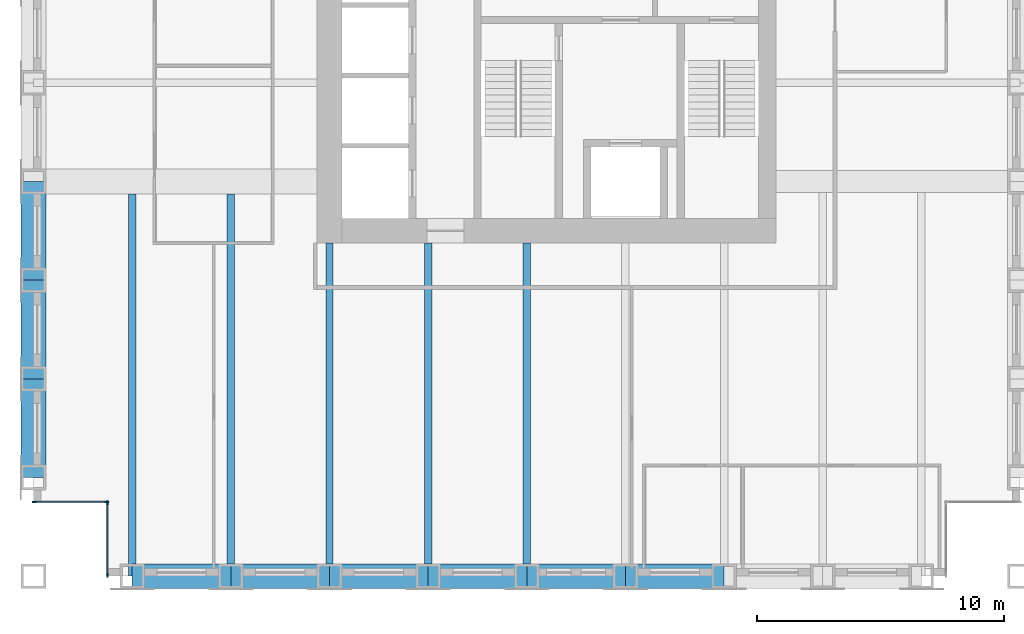
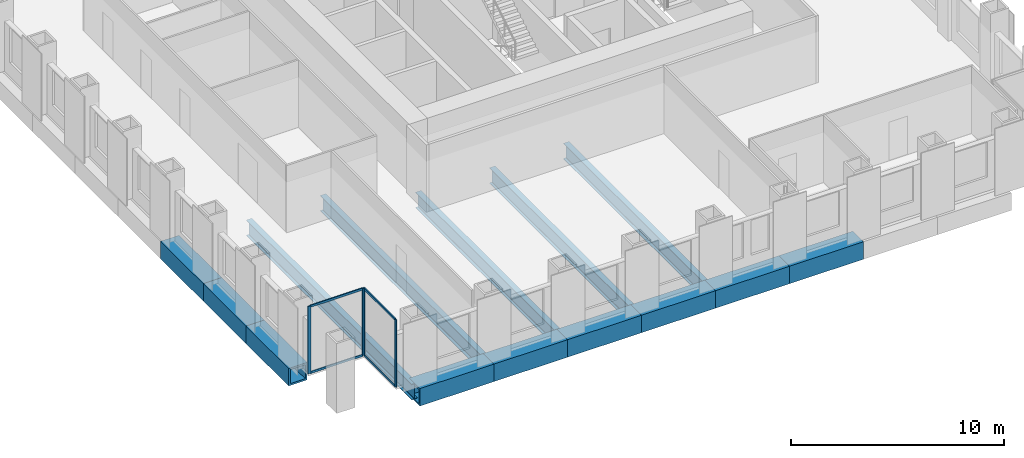
# One storey, part 2 of 11: 14 beams, 8 members, 2 elements without a shape of their own.
"""IFC4 building model written with IfcOpenShell, lengths in metres."""

from ifc_helpers import new_model, si_unit, direction, frame, origin, origin_2d, place, context, subcontext, project, spatial, rectangle, hollow_rectangle, i_section, extrude, material, material_profile, profile_set, type_object, element, aggregate, save


model = new_model("IFC4")

# Units and contexts
model_context = context("Model", 3, precision=1e-05, world=origin(), true_north=direction((0.0, 1.0)))
body_context = subcontext(model_context, "Body", "Model", "MODEL_VIEW")
ifc_project = project(units=[si_unit("LENGTHUNIT", "METRE"), si_unit("AREAUNIT", "SQUARE_METRE"), si_unit("VOLUMEUNIT", "CUBIC_METRE"), si_unit("PLANEANGLEUNIT", "RADIAN"), si_unit("MASSUNIT", "GRAM", prefix="KILO")], contexts=[model_context])

# Site, building, storey
site_placement = place(None, origin())
site = spatial("IfcSite", under=ifc_project, at=site_placement, CompositionType="ELEMENT")
building_placement = place(site_placement, origin())
building = spatial("IfcBuilding", under=site, at=building_placement, Name="Rimbunsela Tower", CompositionType="ELEMENT")
storey_placement = place(building_placement, frame((0.0, 0.0, 278.199951171875)))
storey = spatial("IfcBuildingStorey", under=building, at=storey_placement, Name="L67", CompositionType="ELEMENT", Elevation=278.199951171875)

# Beams
ifc_material_1 = material(Name="Steel BJ 55 (fy 410 MPa)", Category="steel")
ifc_material_profile_1 = material_profile(ifc_material_1, hollow_rectangle(XDim=1.0, YDim=1.0, WallThickness=0.10009765625, at=origin_2d()), Name="BOX 1000x1000x100")
ifc_profile_set_1 = profile_set([ifc_material_profile_1], Name="Steel BJ 55 (fy 410 MPa)")
beam_type_1 = type_object("IfcBeamType", Name="Beam BOX 1000x1000x100", PredefinedType="BEAM", material=ifc_profile_set_1)
for number, where, z_axis, x_axis, name in (
    (1, (6.0, 8.0, -0.64990234375), (0.0, 1.0, 0.0), (-1.0, 0.0, 0.0), "Beam B3 L67"),
    (2, (6.0, 12.0, -0.64990234375), (0.0, 1.0, 0.0), (-1.0, 0.0, 0.0), "Beam B3 L67"),
    (3, (6.0, 16.0, -0.64990234375), (0.0, 1.0, 0.0), (-1.0, 0.0, 0.0), "Beam B3 L67"),
    (4, (10.0, 4.0, -0.64990234375), (1.0, 0.0, 0.0), (0.0, 1.0, 0.0), "Beam B3 L67"),
    (5, (14.0, 4.0, -0.64990234375), (1.0, 0.0, 0.0), (0.0, 1.0, 0.0), "Beam B3 L67"),
    (6, (18.0, 4.0, -0.64990234375), (1.0, 0.0, 0.0), (0.0, 1.0, 0.0), "Beam B3 L67"),
    (7, (22.0, 4.0, -0.64990234375), (1.0, 0.0, 0.0), (0.0, 1.0, 0.0), "Beam B3 L67"),
    (8, (26.0, 4.0, -0.64990234375), (1.0, 0.0, 0.0), (0.0, 1.0, 0.0), "Beam B3 L67"),
    (9, (30.0, 4.0, -0.64990234375), (1.0, 0.0, 0.0), (0.0, 1.0, 0.0), "Beam B3 L67"),
):
    element("IfcBeam", number, at=place(storey_placement, frame(where, z_axis=z_axis, x_axis=x_axis)), inside=storey, type_object=beam_type_1, Name=name, PredefinedType="BEAM", context=body_context, shape_type="SweptSolid", body=[
        extrude(hollow_rectangle(XDim=1.0, YDim=1.0, WallThickness=0.10009765625, at=origin_2d()), origin(), (0.0, 0.0, 1.0), 4.0),
    ])
ifc_material_2 = material(Name="Steel BJ 55 (fy 410 MPa)", Category="steel")
ifc_material_profile_2 = material_profile(ifc_material_2, i_section(OverallWidth=0.300048828125, OverallDepth=0.89990234375, WebThickness=0.01611328125, FlangeThickness=0.028076171875, FilletRadius=0.028076171875, at=origin_2d()), Name="H 900x300x16x28")
ifc_profile_set_2 = profile_set([ifc_material_profile_2], Name="Steel BJ 55 (fy 410 MPa)")
beam_type_2 = type_object("IfcBeamType", Name="Beam H 900x300x16x28", PredefinedType="BEAM", material=ifc_profile_set_2)
for number, where, z_axis, x_axis, name in (
    (10, (10.0, 4.0, -0.599853515625), (0.0, 1.0, 0.0), (-1.0, 0.0, 0.0), "Beam B2 L67"),
    (11, (14.0, 4.0, -0.599853515625), (0.0, 1.0, 0.0), (-1.0, 0.0, 0.0), "Beam B2 L67"),
):
    element("IfcBeam", number, at=place(storey_placement, frame(where, z_axis=z_axis, x_axis=x_axis)), inside=storey, type_object=beam_type_2, Name=name, PredefinedType="BEAM", context=body_context, shape_type="SweptSolid", body=[
        extrude(i_section(OverallWidth=0.300048828125, OverallDepth=0.89990234375, WebThickness=0.01611328125, FlangeThickness=0.028076171875, FilletRadius=0.028076171875, at=origin_2d()), origin(), (0.0, 0.0, 1.0), 15.5),
    ])
for number, where, z_axis, x_axis, name in (
    (12, (18.0, 4.0, -0.599853515625), (0.0, 1.0, 0.0), (-1.0, 0.0, 0.0), "Beam B2 L67"),
    (13, (22.0, 4.0, -0.599853515625), (0.0, 1.0, 0.0), (-1.0, 0.0, 0.0), "Beam B2 L67"),
    (14, (26.0, 4.0, -0.599853515625), (0.0, 1.0, 0.0), (-1.0, 0.0, 0.0), "Beam B2 L67"),
):
    element("IfcBeam", number, at=place(storey_placement, frame(where, z_axis=z_axis, x_axis=x_axis)), inside=storey, type_object=beam_type_2, Name=name, PredefinedType="BEAM", context=body_context, shape_type="SweptSolid", body=[
        extrude(i_section(OverallWidth=0.300048828125, OverallDepth=0.89990234375, WebThickness=0.01611328125, FlangeThickness=0.028076171875, FilletRadius=0.028076171875, at=origin_2d()), origin(), (0.0, 0.0, 1.0), 13.5),
    ])

# Curtain wall, members
ifc_material_3 = material(Name="Aluminium curtain wall", Category="aluminium")
curtain_wall_type = type_object("IfcCurtainWallType", Name="Corner glazing", PredefinedType="USERDEFINED", material=ifc_material_3)
curtain_wall_1_placement = place(storey_placement, origin())
curtain_wall_1 = element("IfcCurtainWall", 15, at=curtain_wall_1_placement, inside=storey, type_object=curtain_wall_type, Name="Corner glazing L67", ObjectType="CORNER GLAZING", PredefinedType="USERDEFINED")
ifc_material_4 = material(Name="Aluminium mullion", Category="aluminium")
ifc_material_profile_3 = material_profile(ifc_material_4, rectangle(XDim=0.06005859375, YDim=0.159912109375, at=origin_2d()), Name="Mullion 60x160")
ifc_profile_set_3 = profile_set([ifc_material_profile_3], Name="Aluminium mullion")
member_type_1 = type_object("IfcMemberType", Name="Curtain wall mullion 60x160", PredefinedType="MULLION", material=ifc_profile_set_3)
member_1_placement = place(storey_placement, frame((6.030029296875, 7.0, 0.0), z_axis=(0.0, 0.0, 1.0), x_axis=(0.0, 1.0, 0.0)))
member_1 = element("IfcMember", 16, at=member_1_placement, type_object=member_type_1, Name="CW5 mullion 1", PredefinedType="MULLION", context=body_context, shape_type="SweptSolid", body=[
    extrude(rectangle(XDim=0.06005859375, YDim=0.159912109375, at=origin_2d()), origin(), (0.0, 0.0, 1.0), 3.85009765625),
])
member_2_placement = place(storey_placement, frame((8.969970703125, 7.0, 0.0), z_axis=(0.0, 0.0, 1.0), x_axis=(0.0, 1.0, 0.0)))
member_2 = element("IfcMember", 17, at=member_2_placement, type_object=member_type_1, Name="CW5 mullion 2", PredefinedType="MULLION", context=body_context, shape_type="SweptSolid", body=[
    extrude(rectangle(XDim=0.06005859375, YDim=0.159912109375, at=origin_2d()), origin(), (0.0, 0.0, 1.0), 3.85009765625),
])

curtain_wall_2_placement = place(storey_placement, origin())
curtain_wall_2 = element("IfcCurtainWall", 18, at=curtain_wall_2_placement, inside=storey, type_object=curtain_wall_type, Name="Corner glazing L67", ObjectType="CORNER GLAZING", PredefinedType="USERDEFINED")
member_3_placement = place(storey_placement, frame((9.0, 6.969970703125, 0.0), z_axis=(0.0, 0.0, 1.0), x_axis=(1.0, 0.0, 0.0)))
member_3 = element("IfcMember", 19, at=member_3_placement, type_object=member_type_1, Name="CW5 mullion 1", PredefinedType="MULLION", context=body_context, shape_type="SweptSolid", body=[
    extrude(rectangle(XDim=0.06005859375, YDim=0.159912109375, at=origin_2d()), origin(), (0.0, 0.0, 1.0), 3.85009765625),
])
member_4_placement = place(storey_placement, frame((9.0, 4.030029296875, 0.0), z_axis=(0.0, 0.0, 1.0), x_axis=(1.0, 0.0, 0.0)))
member_4 = element("IfcMember", 20, at=member_4_placement, type_object=member_type_1, Name="CW5 mullion 2", PredefinedType="MULLION", context=body_context, shape_type="SweptSolid", body=[
    extrude(rectangle(XDim=0.06005859375, YDim=0.159912109375, at=origin_2d()), origin(), (0.0, 0.0, 1.0), 3.85009765625),
])

# Member
ifc_material_5 = material(Name="Aluminium transom", Category="aluminium")
ifc_material_profile_4 = material_profile(ifc_material_5, rectangle(XDim=0.06005859375, YDim=0.1201171875, at=origin_2d()), Name="Transom 60x120")
ifc_profile_set_4 = profile_set([ifc_material_profile_4], Name="Aluminium transom")
member_type_2 = type_object("IfcMemberType", Name="Curtain wall transom 60x120", PredefinedType="USERDEFINED", material=ifc_profile_set_4)
member_5_placement = place(storey_placement, frame((6.06005859375, 7.0, 0.030029296875), z_axis=(1.0, 0.0, 0.0), x_axis=(0.0, 1.0, 0.0)))
member_5 = element("IfcMember", 21, at=member_5_placement, type_object=member_type_2, Name="CW5 transom 1.1", ObjectType="TRANSOM", PredefinedType="USERDEFINED", context=body_context, shape_type="SweptSolid", body=[
    extrude(rectangle(XDim=0.06005859375, YDim=0.1201171875, at=origin_2d()), origin(), (0.0, 0.0, 1.0), 2.8798828125),
])

member_6_placement = place(storey_placement, frame((6.06005859375, 7.0, 3.820068359375), z_axis=(1.0, 0.0, 0.0), x_axis=(0.0, 1.0, 0.0)))
member_6 = element("IfcMember", 22, at=member_6_placement, type_object=member_type_2, Name="CW5 transom 1.2", ObjectType="TRANSOM", PredefinedType="USERDEFINED", context=body_context, shape_type="SweptSolid", body=[
    extrude(rectangle(XDim=0.06005859375, YDim=0.1201171875, at=origin_2d()), origin(), (0.0, 0.0, 1.0), 2.8798828125),
])

aggregate(curtain_wall_1, [member_1, member_2, member_5, member_6])

member_7_placement = place(storey_placement, frame((9.0, 6.93994140625, 0.030029296875), z_axis=(0.0, -1.0, 0.0), x_axis=(1.0, 0.0, 0.0)))
member_7 = element("IfcMember", 23, at=member_7_placement, type_object=member_type_2, Name="CW5 transom 1.1", ObjectType="TRANSOM", PredefinedType="USERDEFINED", context=body_context, shape_type="SweptSolid", body=[
    extrude(rectangle(XDim=0.06005859375, YDim=0.1201171875, at=origin_2d()), origin(), (0.0, 0.0, 1.0), 2.8798828125),
])

member_8_placement = place(storey_placement, frame((9.0, 6.93994140625, 3.820068359375), z_axis=(0.0, -1.0, 0.0), x_axis=(1.0, 0.0, 0.0)))
member_8 = element("IfcMember", 24, at=member_8_placement, type_object=member_type_2, Name="CW5 transom 1.2", ObjectType="TRANSOM", PredefinedType="USERDEFINED", context=body_context, shape_type="SweptSolid", body=[
    extrude(rectangle(XDim=0.06005859375, YDim=0.1201171875, at=origin_2d()), origin(), (0.0, 0.0, 1.0), 2.8798828125),
])

aggregate(curtain_wall_2, [member_3, member_4, member_7, member_8])

save(model, "model.ifc")
